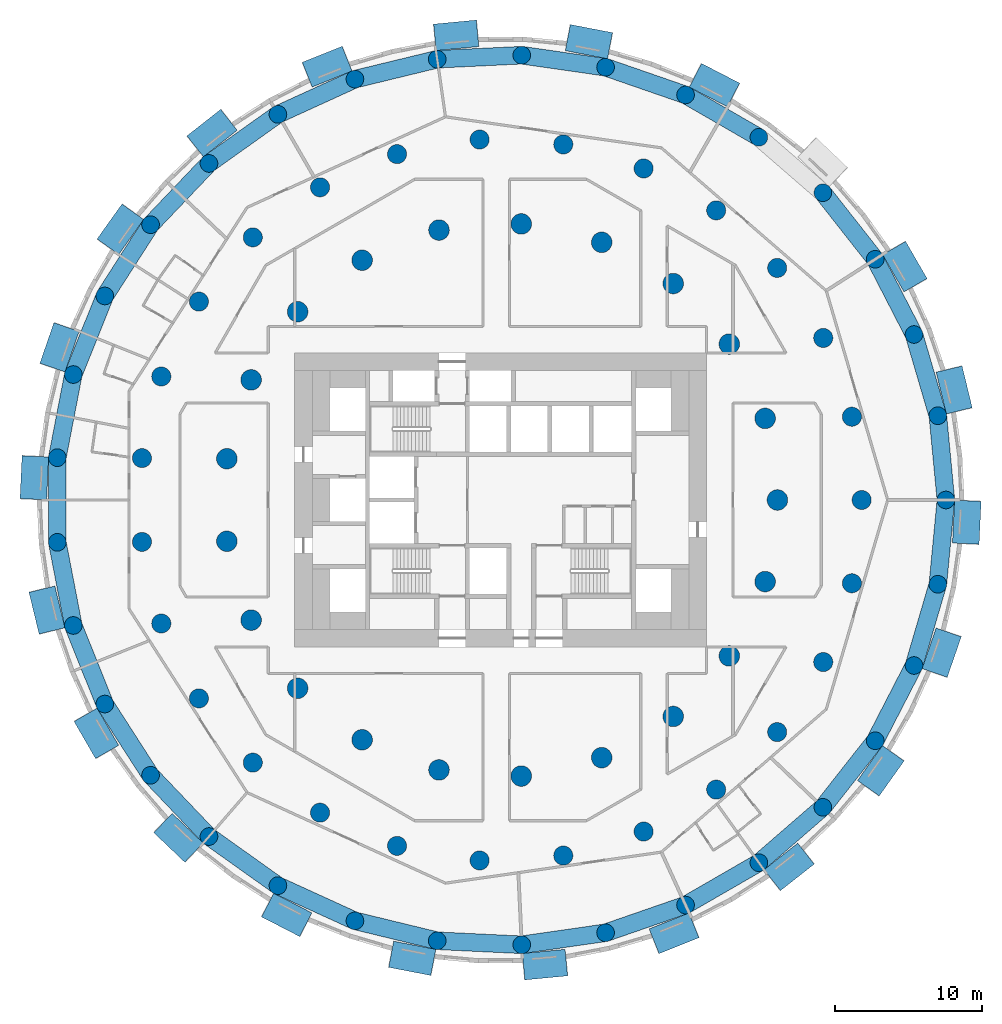
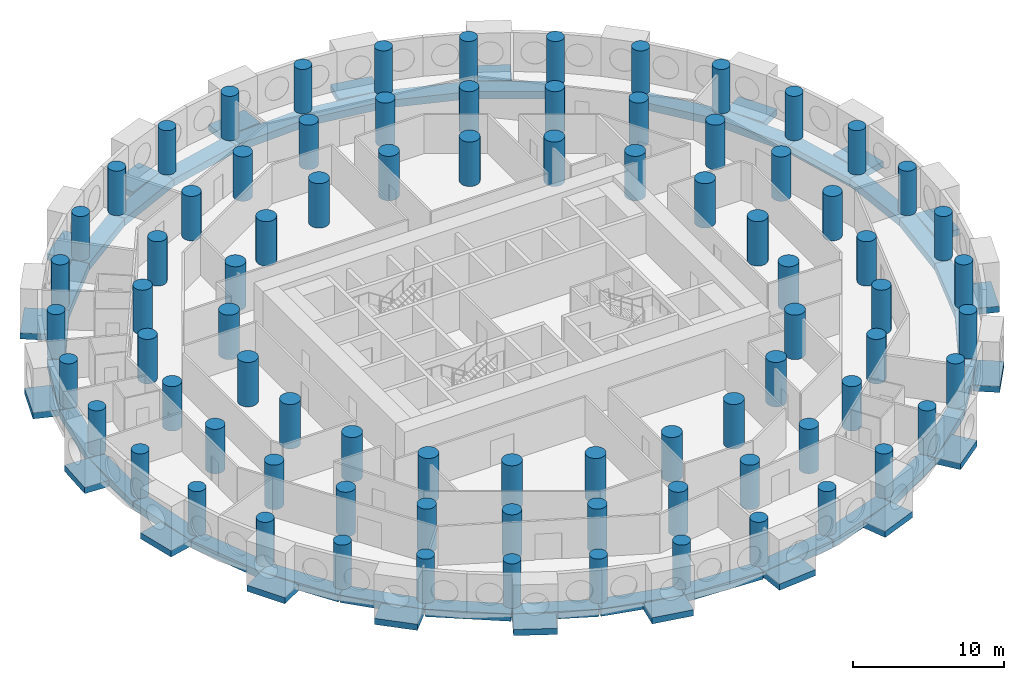
# One storey, part 1 of 11: 81 columns, 53 beams.
"""IFC4 building model written with IfcOpenShell, lengths in metres."""

from ifc_helpers import new_model, si_unit, direction, frame, origin, origin_2d, place, context, subcontext, project, spatial, rectangle, circle, extrude, material, material_profile, profile_set, type_object, element, save


model = new_model("IFC4")

# Units and contexts
model_context = context("Model", 3, precision=1e-05, world=origin(), true_north=direction((0.0, 1.0)))
body_context = subcontext(model_context, "Body", "Model", "MODEL_VIEW")
ifc_project = project(units=[si_unit("LENGTHUNIT", "METRE"), si_unit("AREAUNIT", "SQUARE_METRE"), si_unit("VOLUMEUNIT", "CUBIC_METRE"), si_unit("PLANEANGLEUNIT", "RADIAN"), si_unit("MASSUNIT", "GRAM", prefix="KILO")], contexts=[model_context])

# Site, building, storey
site_placement = place(None, origin())
site = spatial("IfcSite", under=ifc_project, at=site_placement, CompositionType="ELEMENT")
building_placement = place(site_placement, origin())
building = spatial("IfcBuilding", under=site, at=building_placement, Name="Tracery Tower", CompositionType="ELEMENT")
storey_placement = place(building_placement, frame((0.0, 0.0, 64.199951171875)))
storey = spatial("IfcBuildingStorey", under=building, at=storey_placement, Name="L15", CompositionType="ELEMENT", Elevation=64.199951171875)

# Columns
ifc_material_1 = material(Name="Concrete C60/75", Category="concrete")
ifc_material_profile_1 = material_profile(ifc_material_1, circle(Radius=0.60009765625, at=origin_2d()), Name="RC D1200")
ifc_profile_set_1 = profile_set([ifc_material_profile_1], Name="Concrete C60/75")
column_type_1 = type_object("IfcColumnType", Name="Ring 0 column 1200", PredefinedType="COLUMN", material=ifc_profile_set_1)
for number, where, z_axis, x_axis, name in (
    (1, (30.274658203125, 0.0, 0.0), (0.0, 0.0, 1.0), (1.0, 0.0, 0.0), "Ring 0 column 00 at L15"),
    (2, (29.7275390625, 5.7294921875, 0.0), (0.0, 0.0, 1.0), (1.0, 0.0, 0.0), "Ring 0 column 01 at L15"),
    (3, (28.10595703125, 11.251953125, 0.0), (0.0, 0.0, 1.0), (1.0, 0.0, 0.0), "Ring 0 column 02 at L15"),
    (4, (25.468505859375, 16.36767578125, 0.0), (0.0, 0.0, 1.0), (1.0, 0.0, 0.0), "Ring 0 column 03 at L15"),
    (5, (21.910888671875, 20.891845703125, 0.0), (0.0, 0.0, 1.0), (1.0, 0.0, 0.0), "Ring 0 column 04 at L15"),
    (6, (17.56103515625, 24.660888671875, 0.0), (0.0, 0.0, 1.0), (1.0, 0.0, 0.0), "Ring 0 column 05 at L15"),
    (7, (12.576416015625, 27.538818359375, 0.0), (0.0, 0.0, 1.0), (1.0, 0.0, 0.0), "Ring 0 column 06 at L15"),
    (8, (7.137451171875, 29.421142578125, 0.0), (0.0, 0.0, 1.0), (1.0, 0.0, 0.0), "Ring 0 column 07 at L15"),
    (9, (1.4404296875, 30.240234375, 0.0), (0.0, 0.0, 1.0), (1.0, 0.0, 0.0), "Ring 0 column 08 at L15"),
    (10, (-4.30859375, 29.96630859375, 0.0), (0.0, 0.0, 1.0), (1.0, 0.0, 0.0), "Ring 0 column 09 at L15"),
    (11, (-9.90185546875, 28.609619140625, 0.0), (0.0, 0.0, 1.0), (1.0, 0.0, 0.0), "Ring 0 column 10 at L15"),
    (12, (-15.13720703125, 26.218505859375, 0.0), (0.0, 0.0, 1.0), (1.0, 0.0, 0.0), "Ring 0 column 11 at L15"),
    (13, (-19.82568359375, 22.8798828125, 0.0), (0.0, 0.0, 1.0), (1.0, 0.0, 0.0), "Ring 0 column 12 at L15"),
    (14, (-23.79736328125, 18.714599609375, 0.0), (0.0, 0.0, 1.0), (1.0, 0.0, 0.0), "Ring 0 column 13 at L15"),
    (15, (-26.9091796875, 13.87255859375, 0.0), (0.0, 0.0, 1.0), (1.0, 0.0, 0.0), "Ring 0 column 14 at L15"),
    (16, (-29.04833984375, 8.529296875, 0.0), (0.0, 0.0, 1.0), (1.0, 0.0, 0.0), "Ring 0 column 15 at L15"),
    (17, (-30.137451171875, 2.877685546875, 0.0), (0.0, 0.0, 1.0), (1.0, 0.0, 0.0), "Ring 0 column 16 at L15"),
    (18, (-30.137451171875, -2.877685546875, 0.0), (0.0, 0.0, 1.0), (1.0, 0.0, 0.0), "Ring 0 column 17 at L15"),
    (19, (-29.04833984375, -8.529296875, 0.0), (0.0, 0.0, 1.0), (1.0, 0.0, 0.0), "Ring 0 column 18 at L15"),
    (20, (-26.9091796875, -13.87255859375, 0.0), (0.0, 0.0, 1.0), (1.0, 0.0, 0.0), "Ring 0 column 19 at L15"),
    (21, (-23.79736328125, -18.714599609375, 0.0), (0.0, 0.0, 1.0), (1.0, 0.0, 0.0), "Ring 0 column 20 at L15"),
    (22, (-19.82568359375, -22.8798828125, 0.0), (0.0, 0.0, 1.0), (1.0, 0.0, 0.0), "Ring 0 column 21 at L15"),
    (23, (-15.13720703125, -26.218505859375, 0.0), (0.0, 0.0, 1.0), (1.0, 0.0, 0.0), "Ring 0 column 22 at L15"),
    (24, (-9.90185546875, -28.609619140625, 0.0), (0.0, 0.0, 1.0), (1.0, 0.0, 0.0), "Ring 0 column 23 at L15"),
    (25, (-4.30859375, -29.96630859375, 0.0), (0.0, 0.0, 1.0), (1.0, 0.0, 0.0), "Ring 0 column 24 at L15"),
    (26, (1.4404296875, -30.240234375, 0.0), (0.0, 0.0, 1.0), (1.0, 0.0, 0.0), "Ring 0 column 25 at L15"),
    (27, (7.137451171875, -29.421142578125, 0.0), (0.0, 0.0, 1.0), (1.0, 0.0, 0.0), "Ring 0 column 26 at L15"),
    (28, (12.576416015625, -27.538818359375, 0.0), (0.0, 0.0, 1.0), (1.0, 0.0, 0.0), "Ring 0 column 27 at L15"),
    (29, (17.56103515625, -24.660888671875, 0.0), (0.0, 0.0, 1.0), (1.0, 0.0, 0.0), "Ring 0 column 28 at L15"),
    (30, (21.910888671875, -20.891845703125, 0.0), (0.0, 0.0, 1.0), (1.0, 0.0, 0.0), "Ring 0 column 29 at L15"),
    (31, (25.468505859375, -16.36767578125, 0.0), (0.0, 0.0, 1.0), (1.0, 0.0, 0.0), "Ring 0 column 30 at L15"),
    (32, (28.10595703125, -11.251953125, 0.0), (0.0, 0.0, 1.0), (1.0, 0.0, 0.0), "Ring 0 column 31 at L15"),
    (33, (29.7275390625, -5.7294921875, 0.0), (0.0, 0.0, 1.0), (1.0, 0.0, 0.0), "Ring 0 column 32 at L15"),
):
    element("IfcColumn", number, at=place(storey_placement, frame(where, z_axis=z_axis, x_axis=x_axis)), inside=storey, type_object=column_type_1, Name=name, PredefinedType="COLUMN", context=body_context, shape_type="SweptSolid", body=[
        extrude(circle(Radius=0.60009765625, at=origin_2d()), origin(), (0.0, 0.0, 1.0), 3.60009765625),
    ])
ifc_material_2 = material(Name="Concrete C60/75", Category="concrete")
ifc_material_profile_2 = material_profile(ifc_material_2, circle(Radius=0.64990234375, at=origin_2d()), Name="RC D1300")
ifc_profile_set_2 = profile_set([ifc_material_profile_2], Name="Concrete C60/75")
column_type_2 = type_object("IfcColumnType", Name="Ring 1 column 1300", PredefinedType="COLUMN", material=ifc_profile_set_2)
for number, where, z_axis, x_axis, name in (
    (34, (24.547607421875, 0.0, 0.0), (0.0, 0.0, 1.0), (1.0, 0.0, 0.0), "Ring 1 column 00 at L15"),
    (35, (23.885986328125, 5.6611328125, 0.0), (0.0, 0.0, 1.0), (1.0, 0.0, 0.0), "Ring 1 column 01 at L15"),
    (36, (21.9365234375, 11.01708984375, 0.0), (0.0, 0.0, 1.0), (1.0, 0.0, 0.0), "Ring 1 column 02 at L15"),
    (37, (18.8046875, 15.779052734375, 0.0), (0.0, 0.0, 1.0), (1.0, 0.0, 0.0), "Ring 1 column 03 at L15"),
    (38, (14.658935546875, 19.690185546875, 0.0), (0.0, 0.0, 1.0), (1.0, 0.0, 0.0), "Ring 1 column 04 at L15"),
    (39, (9.722900390625, 22.5400390625, 0.0), (0.0, 0.0, 1.0), (1.0, 0.0, 0.0), "Ring 1 column 05 at L15"),
    (40, (4.2626953125, 24.1748046875, 0.0), (0.0, 0.0, 1.0), (1.0, 0.0, 0.0), "Ring 1 column 06 at L15"),
    (41, (-1.42724609375, 24.506103515625, 0.0), (0.0, 0.0, 1.0), (1.0, 0.0, 0.0), "Ring 1 column 07 at L15"),
    (42, (-7.040283203125, 23.516357421875, 0.0), (0.0, 0.0, 1.0), (1.0, 0.0, 0.0), "Ring 1 column 08 at L15"),
    (43, (-12.273681640625, 21.2587890625, 0.0), (0.0, 0.0, 1.0), (1.0, 0.0, 0.0), "Ring 1 column 09 at L15"),
    (44, (-16.845703125, 17.855224609375, 0.0), (0.0, 0.0, 1.0), (1.0, 0.0, 0.0), "Ring 1 column 10 at L15"),
    (45, (-20.50927734375, 13.4892578125, 0.0), (0.0, 0.0, 1.0), (1.0, 0.0, 0.0), "Ring 1 column 11 at L15"),
    (46, (-23.0673828125, 8.395751953125, 0.0), (0.0, 0.0, 1.0), (1.0, 0.0, 0.0), "Ring 1 column 12 at L15"),
    (47, (-24.381591796875, 2.849853515625, 0.0), (0.0, 0.0, 1.0), (1.0, 0.0, 0.0), "Ring 1 column 13 at L15"),
    (48, (-24.381591796875, -2.849853515625, 0.0), (0.0, 0.0, 1.0), (1.0, 0.0, 0.0), "Ring 1 column 14 at L15"),
    (49, (-23.0673828125, -8.395751953125, 0.0), (0.0, 0.0, 1.0), (1.0, 0.0, 0.0), "Ring 1 column 15 at L15"),
    (50, (-20.50927734375, -13.4892578125, 0.0), (0.0, 0.0, 1.0), (1.0, 0.0, 0.0), "Ring 1 column 16 at L15"),
    (51, (-16.845703125, -17.85546875, 0.0), (0.0, 0.0, 1.0), (1.0, 0.0, 0.0), "Ring 1 column 17 at L15"),
    (52, (-12.27392578125, -21.2587890625, 0.0), (0.0, 0.0, 1.0), (1.0, 0.0, 0.0), "Ring 1 column 18 at L15"),
    (53, (-7.040283203125, -23.516357421875, 0.0), (0.0, 0.0, 1.0), (1.0, 0.0, 0.0), "Ring 1 column 19 at L15"),
    (54, (-1.42724609375, -24.506103515625, 0.0), (0.0, 0.0, 1.0), (1.0, 0.0, 0.0), "Ring 1 column 20 at L15"),
    (55, (4.2626953125, -24.1748046875, 0.0), (0.0, 0.0, 1.0), (1.0, 0.0, 0.0), "Ring 1 column 21 at L15"),
    (56, (9.722900390625, -22.5400390625, 0.0), (0.0, 0.0, 1.0), (1.0, 0.0, 0.0), "Ring 1 column 22 at L15"),
    (57, (14.658935546875, -19.690185546875, 0.0), (0.0, 0.0, 1.0), (1.0, 0.0, 0.0), "Ring 1 column 23 at L15"),
    (58, (18.8046875, -15.779052734375, 0.0), (0.0, 0.0, 1.0), (1.0, 0.0, 0.0), "Ring 1 column 24 at L15"),
    (59, (21.9365234375, -11.01708984375, 0.0), (0.0, 0.0, 1.0), (1.0, 0.0, 0.0), "Ring 1 column 25 at L15"),
    (60, (23.885986328125, -5.6611328125, 0.0), (0.0, 0.0, 1.0), (1.0, 0.0, 0.0), "Ring 1 column 26 at L15"),
):
    element("IfcColumn", number, at=place(storey_placement, frame(where, z_axis=z_axis, x_axis=x_axis)), inside=storey, type_object=column_type_2, Name=name, PredefinedType="COLUMN", context=body_context, shape_type="SweptSolid", body=[
        extrude(circle(Radius=0.64990234375, at=origin_2d()), origin(), (0.0, 0.0, 1.0), 3.60009765625),
    ])
ifc_material_3 = material(Name="Concrete C60/75", Category="concrete")
ifc_material_profile_3 = material_profile(ifc_material_3, circle(Radius=0.699951171875, at=origin_2d()), Name="RC D1400")
ifc_profile_set_3 = profile_set([ifc_material_profile_3], Name="Concrete C60/75")
column_type_3 = type_object("IfcColumnType", Name="Ring 2 column 1400", PredefinedType="COLUMN", material=ifc_profile_set_3)
for number, where, z_axis, x_axis, name in (
    (61, (18.822265625, 0.0, 0.0), (0.0, 0.0, 1.0), (1.0, 0.0, 0.0), "Ring 2 column 00 at L15"),
    (62, (17.986083984375, 5.5478515625, 0.0), (0.0, 0.0, 1.0), (1.0, 0.0, 0.0), "Ring 2 column 01 at L15"),
    (63, (15.551513671875, 10.602783203125, 0.0), (0.0, 0.0, 1.0), (1.0, 0.0, 0.0), "Ring 2 column 02 at L15"),
    (64, (11.7353515625, 14.7158203125, 0.0), (0.0, 0.0, 1.0), (1.0, 0.0, 0.0), "Ring 2 column 03 at L15"),
    (65, (6.87646484375, 17.52099609375, 0.0), (0.0, 0.0, 1.0), (1.0, 0.0, 0.0), "Ring 2 column 04 at L15"),
    (66, (1.406494140625, 18.76953125, 0.0), (0.0, 0.0, 1.0), (1.0, 0.0, 0.0), "Ring 2 column 05 at L15"),
    (67, (-4.188232421875, 18.350341796875, 0.0), (0.0, 0.0, 1.0), (1.0, 0.0, 0.0), "Ring 2 column 06 at L15"),
    (68, (-9.4111328125, 16.300537109375, 0.0), (0.0, 0.0, 1.0), (1.0, 0.0, 0.0), "Ring 2 column 07 at L15"),
    (69, (-13.797607421875, 12.802490234375, 0.0), (0.0, 0.0, 1.0), (1.0, 0.0, 0.0), "Ring 2 column 08 at L15"),
    (70, (-16.958251953125, 8.16650390625, 0.0), (0.0, 0.0, 1.0), (1.0, 0.0, 0.0), "Ring 2 column 09 at L15"),
    (71, (-18.612060546875, 2.805419921875, 0.0), (0.0, 0.0, 1.0), (1.0, 0.0, 0.0), "Ring 2 column 10 at L15"),
    (72, (-18.612060546875, -2.805419921875, 0.0), (0.0, 0.0, 1.0), (1.0, 0.0, 0.0), "Ring 2 column 11 at L15"),
    (73, (-16.958251953125, -8.166748046875, 0.0), (0.0, 0.0, 1.0), (1.0, 0.0, 0.0), "Ring 2 column 12 at L15"),
    (74, (-13.797607421875, -12.80224609375, 0.0), (0.0, 0.0, 1.0), (1.0, 0.0, 0.0), "Ring 2 column 13 at L15"),
    (75, (-9.4111328125, -16.300537109375, 0.0), (0.0, 0.0, 1.0), (1.0, 0.0, 0.0), "Ring 2 column 14 at L15"),
    (76, (-4.188232421875, -18.350341796875, 0.0), (0.0, 0.0, 1.0), (1.0, 0.0, 0.0), "Ring 2 column 15 at L15"),
    (77, (1.406494140625, -18.76953125, 0.0), (0.0, 0.0, 1.0), (1.0, 0.0, 0.0), "Ring 2 column 16 at L15"),
    (78, (6.87646484375, -17.52099609375, 0.0), (0.0, 0.0, 1.0), (1.0, 0.0, 0.0), "Ring 2 column 17 at L15"),
    (79, (11.7353515625, -14.7158203125, 0.0), (0.0, 0.0, 1.0), (1.0, 0.0, 0.0), "Ring 2 column 18 at L15"),
    (80, (15.551513671875, -10.602783203125, 0.0), (0.0, 0.0, 1.0), (1.0, 0.0, 0.0), "Ring 2 column 19 at L15"),
    (81, (17.986083984375, -5.5478515625, 0.0), (0.0, 0.0, 1.0), (1.0, 0.0, 0.0), "Ring 2 column 20 at L15"),
):
    element("IfcColumn", number, at=place(storey_placement, frame(where, z_axis=z_axis, x_axis=x_axis)), inside=storey, type_object=column_type_3, Name=name, PredefinedType="COLUMN", context=body_context, shape_type="SweptSolid", body=[
        extrude(circle(Radius=0.699951171875, at=origin_2d()), origin(), (0.0, 0.0, 1.0), 3.60009765625),
    ])

# Beams
ifc_material_4 = material(Name="Concrete C60/75", Category="concrete")
ifc_material_profile_4 = material_profile(ifc_material_4, rectangle(XDim=1.81005859375, YDim=0.5, at=origin_2d()), Name="RC 1810x500")
ifc_profile_set_4 = profile_set([ifc_material_profile_4], Name="Concrete C60/75")
beam_type_1 = type_object("IfcBeamType", Name="Bay seat beam 1810 x 500", PredefinedType="BEAM", material=ifc_profile_set_4)
for number, where, z_axis, x_axis, name in (
    (82, (31.18359375, 6.062744140625, -0.699951171875), (-0.235781890866, 0.971805999127, 0.0), (-0.971805999127, -0.235781890866, 0.0), "Bay seat beam 3 at L15"),
    (83, (28.21240234375, 14.6025390625, -0.699951171875), (-0.49998782916, 0.866032430508, 0.0), (-0.866032430508, -0.49998782916, 0.0), "Bay seat beam 6 at L15"),
):
    element("IfcBeam", number, at=place(storey_placement, frame(where, z_axis=z_axis, x_axis=x_axis)), inside=storey, type_object=beam_type_1, Name=name, PredefinedType="BEAM", context=body_context, shape_type="SweptSolid", body=[
        extrude(rectangle(XDim=1.81005859375, YDim=0.5, at=origin_2d()), origin(), (0.0, 0.0, 1.0), 2.919921875),
    ])
beam_1_placement = place(storey_placement, frame((15.839111328125, 27.537109375, -0.699951171875), z_axis=(-0.888823919044, 0.458248885362, 0.0), x_axis=(-0.458248885362, -0.888823919044, 0.0)))
element("IfcBeam", 84, at=beam_1_placement, inside=storey, type_object=beam_type_1, Name="Bay seat beam 12 at L15", PredefinedType="BEAM", context=body_context, shape_type="SweptSolid", body=[
    extrude(rectangle(XDim=1.81005859375, YDim=0.5, at=origin_2d()), origin(), (0.0, 0.0, 1.0), 2.920166015625),
])
beam_2_placement = place(storey_placement, frame((7.439208984375, 30.884033203125, -0.699951171875), z_axis=(-0.981920468865, 0.189293932349, 0.0), x_axis=(-0.189293932349, -0.981920468865, 0.0)))
element("IfcBeam", 85, at=beam_2_placement, inside=storey, type_object=beam_type_1, Name="Bay seat beam 15 at L15", PredefinedType="BEAM", context=body_context, shape_type="SweptSolid", body=[
    extrude(rectangle(XDim=1.81005859375, YDim=0.5, at=origin_2d()), origin(), (0.0, 0.0, 1.0), 2.919921875),
])
beam_3_placement = place(storey_placement, frame((-1.56298828125, 31.72900390625, -0.699951171875), z_axis=(-0.995471769445, -0.095057646919, 0.0), x_axis=(0.095057646919, -0.995471769445, 0.0)))
element("IfcBeam", 86, at=beam_3_placement, inside=storey, type_object=beam_type_1, Name="Bay seat beam 18 at L15", PredefinedType="BEAM", context=body_context, shape_type="SweptSolid", body=[
    extrude(rectangle(XDim=1.81005859375, YDim=0.5, at=origin_2d()), origin(), (0.0, 0.0, 1.0), 2.920166015625),
])
for number, where, z_axis, x_axis, name in (
    (87, (-10.43896484375, 30.00341796875, -0.699951171875), (-0.928367087211, -0.371664568373, 0.0), (0.371664568373, -0.928367087211, 0.0), "Bay seat beam 21 at L15"),
    (88, (-18.468994140625, 25.846923828125, -0.699951171875), (-0.786054237018, -0.618157533696, 0.0), (0.618157533696, -0.786054237018, 0.0), "Bay seat beam 24 at L15"),
    (89, (-25.002685546875, 19.5966796875, -0.699951171875), (-0.580098696047, -0.81454619442, 0.0), (0.81454619442, -0.580098696047, 0.0), "Bay seat beam 27 at L15"),
    (90, (-29.510986328125, 11.7587890625, -0.699951171875), (-0.327093333183, -0.944992037738, 0.0), (0.944992037738, -0.327093333183, 0.0), "Bay seat beam 30 at L15"),
):
    element("IfcBeam", number, at=place(storey_placement, frame(where, z_axis=z_axis, x_axis=x_axis)), inside=storey, type_object=beam_type_1, Name=name, PredefinedType="BEAM", context=body_context, shape_type="SweptSolid", body=[
        extrude(rectangle(XDim=1.81005859375, YDim=0.5, at=origin_2d()), origin(), (0.0, 0.0, 1.0), 2.919921875),
    ])
beam_4_placement = place(storey_placement, frame((-31.62841796875, 2.96826171875, -0.699951171875), z_axis=(-0.047573094089, -0.998867759375, 0.0), x_axis=(0.998867759375, -0.047573094089, 0.0)))
element("IfcBeam", 91, at=beam_4_placement, inside=storey, type_object=beam_type_1, Name="Bay seat beam 33 at L15", PredefinedType="BEAM", context=body_context, shape_type="SweptSolid", body=[
    extrude(rectangle(XDim=1.81005859375, YDim=0.5, at=origin_2d()), origin(), (0.0, 0.0, 1.0), 2.920166015625),
])
for number, where, z_axis, x_axis, name in (
    (92, (-31.18359375, -6.062744140625, -0.699951171875), (0.235781890866, -0.971805999127, 0.0), (0.971805999127, 0.235781890866, 0.0), "Bay seat beam 36 at L15"),
    (93, (-28.21240234375, -14.6025390625, -0.699951171875), (0.49998782916, -0.866032430508, 0.0), (0.866032430508, 0.49998782916, 0.0), "Bay seat beam 39 at L15"),
    (94, (-22.95556640625, -21.95947265625, -0.699951171875), (0.72375405418, -0.690058018617, 0.0), (0.690058018617, 0.72375405418, 0.0), "Bay seat beam 42 at L15"),
):
    element("IfcBeam", number, at=place(storey_placement, frame(where, z_axis=z_axis, x_axis=x_axis)), inside=storey, type_object=beam_type_1, Name=name, PredefinedType="BEAM", context=body_context, shape_type="SweptSolid", body=[
        extrude(rectangle(XDim=1.81005859375, YDim=0.5, at=origin_2d()), origin(), (0.0, 0.0, 1.0), 2.919921875),
    ])
beam_5_placement = place(storey_placement, frame((-15.839111328125, -27.537109375, -0.699951171875), z_axis=(0.888823919044, -0.458248885362, 0.0), x_axis=(0.458248885362, 0.888823919044, 0.0)))
element("IfcBeam", 95, at=beam_5_placement, inside=storey, type_object=beam_type_1, Name="Bay seat beam 45 at L15", PredefinedType="BEAM", context=body_context, shape_type="SweptSolid", body=[
    extrude(rectangle(XDim=1.81005859375, YDim=0.5, at=origin_2d()), origin(), (0.0, 0.0, 1.0), 2.920166015625),
])
beam_6_placement = place(storey_placement, frame((-7.439208984375, -30.884033203125, -0.699951171875), z_axis=(0.981920468865, -0.189293932349, 0.0), x_axis=(0.189293932349, 0.981920468865, 0.0)))
element("IfcBeam", 96, at=beam_6_placement, inside=storey, type_object=beam_type_1, Name="Bay seat beam 48 at L15", PredefinedType="BEAM", context=body_context, shape_type="SweptSolid", body=[
    extrude(rectangle(XDim=1.81005859375, YDim=0.5, at=origin_2d()), origin(), (0.0, 0.0, 1.0), 2.919921875),
])
beam_7_placement = place(storey_placement, frame((1.56298828125, -31.72900390625, -0.699951171875), z_axis=(0.995471769445, 0.095057646919, 0.0), x_axis=(-0.095057646919, 0.995471769445, 0.0)))
element("IfcBeam", 97, at=beam_7_placement, inside=storey, type_object=beam_type_1, Name="Bay seat beam 51 at L15", PredefinedType="BEAM", context=body_context, shape_type="SweptSolid", body=[
    extrude(rectangle(XDim=1.81005859375, YDim=0.5, at=origin_2d()), origin(), (0.0, 0.0, 1.0), 2.920166015625),
])
for number, where, z_axis, x_axis, name in (
    (98, (10.43896484375, -30.00341796875, -0.699951171875), (0.928367087211, 0.371664568373, 0.0), (-0.371664568373, 0.928367087211, 0.0), "Bay seat beam 54 at L15"),
    (99, (18.468994140625, -25.846923828125, -0.699951171875), (0.786054237018, 0.618157533696, 0.0), (-0.618157533696, 0.786054237018, 0.0), "Bay seat beam 57 at L15"),
    (100, (25.002685546875, -19.5966796875, -0.699951171875), (0.580098696047, 0.81454619442, 0.0), (-0.81454619442, 0.580098696047, 0.0), "Bay seat beam 60 at L15"),
    (101, (29.510986328125, -11.7587890625, -0.699951171875), (0.327093333183, 0.944992037738, 0.0), (-0.944992037738, 0.327093333183, 0.0), "Bay seat beam 63 at L15"),
):
    element("IfcBeam", number, at=place(storey_placement, frame(where, z_axis=z_axis, x_axis=x_axis)), inside=storey, type_object=beam_type_1, Name=name, PredefinedType="BEAM", context=body_context, shape_type="SweptSolid", body=[
        extrude(rectangle(XDim=1.81005859375, YDim=0.5, at=origin_2d()), origin(), (0.0, 0.0, 1.0), 2.919921875),
    ])
beam_8_placement = place(storey_placement, frame((31.62841796875, -2.96826171875, -0.699951171875), z_axis=(0.047573094089, 0.998867759375, 0.0), x_axis=(-0.998867759375, 0.047573094089, 0.0)))
element("IfcBeam", 102, at=beam_8_placement, inside=storey, type_object=beam_type_1, Name="Bay seat beam 66 at L15", PredefinedType="BEAM", context=body_context, shape_type="SweptSolid", body=[
    extrude(rectangle(XDim=1.81005859375, YDim=0.5, at=origin_2d()), origin(), (0.0, 0.0, 1.0), 2.920166015625),
])
ifc_material_5 = material(Name="Concrete C60/75", Category="concrete")
ifc_material_profile_5 = material_profile(ifc_material_5, rectangle(XDim=1.199951171875, YDim=0.60009765625, at=origin_2d()), Name="RC 1200x600")
ifc_profile_set_5 = profile_set([ifc_material_profile_5], Name="Concrete C60/75")
beam_type_2 = type_object("IfcBeamType", Name="Perimeter band beam 1200x600", PredefinedType="BEAM", material=ifc_profile_set_5)
for number, where, z_axis, x_axis, name in (
    (103, (30.274658203125, 0.0, -0.75), (-0.095059309677, 0.995471610667, 0.0), (-0.995471610667, -0.095059309677, 0.0), "Perimeter beam 0.00 under L15"),
    (104, (29.7275390625, 5.7294921875, -0.75), (-0.281739145896, 0.959491038869, 0.0), (-0.959491038869, -0.281739145896, 0.0), "Perimeter beam 0.01 under L15"),
    (105, (28.10595703125, 11.251953125, -0.75), (-0.458242010493, 0.88882746347, 0.0), (-0.88882746347, -0.458242010493, 0.0), "Perimeter beam 0.02 under L15"),
):
    element("IfcBeam", number, at=place(storey_placement, frame(where, z_axis=z_axis, x_axis=x_axis)), inside=storey, type_object=beam_type_2, Name=name, PredefinedType="BEAM", context=body_context, shape_type="SweptSolid", body=[
        extrude(rectangle(XDim=1.199951171875, YDim=0.60009765625, at=origin_2d()), origin(), (0.0, 0.0, 1.0), 5.755615234375),
    ])
beam_9_placement = place(storey_placement, frame((25.468505859375, 16.36767578125, -0.75), z_axis=(-0.618134362257, 0.786072458618, 0.0), x_axis=(-0.786072458618, -0.618134362257, 0.0)))
element("IfcBeam", 106, at=beam_9_placement, inside=storey, type_object=beam_type_2, Name="Perimeter beam 0.03 under L15", PredefinedType="BEAM", context=body_context, shape_type="SweptSolid", body=[
    extrude(rectangle(XDim=1.199951171875, YDim=0.60009765625, at=origin_2d()), origin(), (0.0, 0.0, 1.0), 5.75537109375),
])
beam_10_placement = place(storey_placement, frame((17.56103515625, 24.660888671875, -0.75), z_axis=(-0.866021003874, 0.50000762079, 0.0), x_axis=(-0.50000762079, -0.866021003874, 0.0)))
element("IfcBeam", 107, at=beam_10_placement, inside=storey, type_object=beam_type_2, Name="Perimeter beam 0.05 under L15", PredefinedType="BEAM", context=body_context, shape_type="SweptSolid", body=[
    extrude(rectangle(XDim=1.199951171875, YDim=0.60009765625, at=origin_2d()), origin(), (0.0, 0.0, 1.0), 5.755859375),
])
beam_11_placement = place(storey_placement, frame((12.576416015625, 27.538818359375, -0.75), z_axis=(-0.945007252869, 0.327049372458, 0.0), x_axis=(-0.327049372458, -0.945007252869, 0.0)))
element("IfcBeam", 108, at=beam_11_placement, inside=storey, type_object=beam_type_2, Name="Perimeter beam 0.06 under L15", PredefinedType="BEAM", context=body_context, shape_type="SweptSolid", body=[
    extrude(rectangle(XDim=1.199951171875, YDim=0.60009765625, at=origin_2d()), origin(), (0.0, 0.0, 1.0), 5.75537109375),
])
for number, where, z_axis, x_axis, name in (
    (109, (7.137451171875, 29.421142578125, -0.75), (-0.989821839174, 0.142312075013, 0.0), (-0.142312075013, -0.989821839174, 0.0), "Perimeter beam 0.07 under L15"),
    (110, (1.4404296875, 30.240234375, -0.75), (-0.998866793759, -0.047593364303, 0.0), (0.047593364303, -0.998866793759, 0.0), "Perimeter beam 0.08 under L15"),
):
    element("IfcBeam", number, at=place(storey_placement, frame(where, z_axis=z_axis, x_axis=x_axis)), inside=storey, type_object=beam_type_2, Name=name, PredefinedType="BEAM", context=body_context, shape_type="SweptSolid", body=[
        extrude(rectangle(XDim=1.199951171875, YDim=0.60009765625, at=origin_2d()), origin(), (0.0, 0.0, 1.0), 5.755615234375),
    ])
beam_12_placement = place(storey_placement, frame((-4.30859375, 29.96630859375, -0.75), z_axis=(-0.971820371509, -0.235722645328, 0.0), x_axis=(0.235722645328, -0.971820371509, 0.0)))
element("IfcBeam", 111, at=beam_12_placement, inside=storey, type_object=beam_type_2, Name="Perimeter beam 0.09 under L15", PredefinedType="BEAM", context=body_context, shape_type="SweptSolid", body=[
    extrude(rectangle(XDim=1.199951171875, YDim=0.60009765625, at=origin_2d()), origin(), (0.0, 0.0, 1.0), 5.75537109375),
])
for number, where, z_axis, x_axis, name in (
    (112, (-9.90185546875, 28.609619140625, -0.75), (-0.909618316865, -0.415444963411, 0.0), (0.415444963411, -0.909618316865, 0.0), "Perimeter beam 0.10 under L15"),
    (113, (-15.13720703125, 26.218505859375, -0.75), (-0.8145780864, -0.580053912285, 0.0), (0.580053912285, -0.8145780864, 0.0), "Perimeter beam 0.11 under L15"),
):
    element("IfcBeam", number, at=place(storey_placement, frame(where, z_axis=z_axis, x_axis=x_axis)), inside=storey, type_object=beam_type_2, Name=name, PredefinedType="BEAM", context=body_context, shape_type="SweptSolid", body=[
        extrude(rectangle(XDim=1.199951171875, YDim=0.60009765625, at=origin_2d()), origin(), (0.0, 0.0, 1.0), 5.755615234375),
    ])
beam_13_placement = place(storey_placement, frame((-19.82568359375, 22.8798828125, -0.75), z_axis=(-0.690087218267, -0.723726212863, 0.0), x_axis=(0.723726212863, -0.690087218267, 0.0)))
element("IfcBeam", 114, at=beam_13_placement, inside=storey, type_object=beam_type_2, Name="Perimeter beam 0.12 under L15", PredefinedType="BEAM", context=body_context, shape_type="SweptSolid", body=[
    extrude(rectangle(XDim=1.199951171875, YDim=0.60009765625, at=origin_2d()), origin(), (0.0, 0.0, 1.0), 5.75537109375),
])
beam_14_placement = place(storey_placement, frame((-23.79736328125, 18.714599609375, -0.75), z_axis=(-0.540643964602, -0.841251510274, 0.0), x_axis=(0.841251510274, -0.540643964602, 0.0)))
element("IfcBeam", 115, at=beam_14_placement, inside=storey, type_object=beam_type_2, Name="Perimeter beam 0.13 under L15", PredefinedType="BEAM", context=body_context, shape_type="SweptSolid", body=[
    extrude(rectangle(XDim=1.199951171875, YDim=0.60009765625, at=origin_2d()), origin(), (0.0, 0.0, 1.0), 5.755859375),
])
for number, where, z_axis, x_axis, name in (
    (116, (-26.9091796875, 13.87255859375, -0.75), (-0.371668572289, -0.928365484264, 0.0), (0.928365484264, -0.371668572289, 0.0), "Perimeter beam 0.14 under L15"),
    (117, (-29.04833984375, 8.529296875, -0.75), (-0.189226539295, -0.981933458451, 0.0), (0.981933458451, -0.189226539295, 0.0), "Perimeter beam 0.15 under L15"),
):
    element("IfcBeam", number, at=place(storey_placement, frame(where, z_axis=z_axis, x_axis=x_axis)), inside=storey, type_object=beam_type_2, Name=name, PredefinedType="BEAM", context=body_context, shape_type="SweptSolid", body=[
        extrude(rectangle(XDim=1.199951171875, YDim=0.60009765625, at=origin_2d()), origin(), (0.0, 0.0, 1.0), 5.755615234375),
    ])
beam_15_placement = place(storey_placement, frame((-30.137451171875, 2.877685546875, -0.75), z_axis=(0.0, -1.0, 0.0), x_axis=(1.0, 0.0, 0.0)))
element("IfcBeam", 118, at=beam_15_placement, inside=storey, type_object=beam_type_2, Name="Perimeter beam 0.16 under L15", PredefinedType="BEAM", context=body_context, shape_type="SweptSolid", body=[
    extrude(rectangle(XDim=1.199951171875, YDim=0.60009765625, at=origin_2d()), origin(), (0.0, 0.0, 1.0), 5.75537109375),
])
for number, where, z_axis, x_axis, name in (
    (119, (-30.137451171875, -2.877685546875, -0.75), (0.189226539295, -0.981933458451, 0.0), (0.981933458451, 0.189226539295, 0.0), "Perimeter beam 0.17 under L15"),
    (120, (-29.04833984375, -8.529296875, -0.75), (0.371668572289, -0.928365484264, 0.0), (0.928365484264, 0.371668572289, 0.0), "Perimeter beam 0.18 under L15"),
):
    element("IfcBeam", number, at=place(storey_placement, frame(where, z_axis=z_axis, x_axis=x_axis)), inside=storey, type_object=beam_type_2, Name=name, PredefinedType="BEAM", context=body_context, shape_type="SweptSolid", body=[
        extrude(rectangle(XDim=1.199951171875, YDim=0.60009765625, at=origin_2d()), origin(), (0.0, 0.0, 1.0), 5.755615234375),
    ])
beam_16_placement = place(storey_placement, frame((-26.9091796875, -13.87255859375, -0.75), z_axis=(0.540643964602, -0.841251510274, 0.0), x_axis=(0.841251510274, 0.540643964602, 0.0)))
element("IfcBeam", 121, at=beam_16_placement, inside=storey, type_object=beam_type_2, Name="Perimeter beam 0.19 under L15", PredefinedType="BEAM", context=body_context, shape_type="SweptSolid", body=[
    extrude(rectangle(XDim=1.199951171875, YDim=0.60009765625, at=origin_2d()), origin(), (0.0, 0.0, 1.0), 5.755859375),
])
beam_17_placement = place(storey_placement, frame((-23.79736328125, -18.714599609375, -0.75), z_axis=(0.690087218267, -0.723726212863, 0.0), x_axis=(0.723726212863, 0.690087218267, 0.0)))
element("IfcBeam", 122, at=beam_17_placement, inside=storey, type_object=beam_type_2, Name="Perimeter beam 0.20 under L15", PredefinedType="BEAM", context=body_context, shape_type="SweptSolid", body=[
    extrude(rectangle(XDim=1.199951171875, YDim=0.60009765625, at=origin_2d()), origin(), (0.0, 0.0, 1.0), 5.75537109375),
])
for number, where, z_axis, x_axis, name in (
    (123, (-19.82568359375, -22.8798828125, -0.75), (0.8145780864, -0.580053912285, 0.0), (0.580053912285, 0.8145780864, 0.0), "Perimeter beam 0.21 under L15"),
    (124, (-15.13720703125, -26.218505859375, -0.75), (0.909618316865, -0.415444963411, 0.0), (0.415444963411, 0.909618316865, 0.0), "Perimeter beam 0.22 under L15"),
):
    element("IfcBeam", number, at=place(storey_placement, frame(where, z_axis=z_axis, x_axis=x_axis)), inside=storey, type_object=beam_type_2, Name=name, PredefinedType="BEAM", context=body_context, shape_type="SweptSolid", body=[
        extrude(rectangle(XDim=1.199951171875, YDim=0.60009765625, at=origin_2d()), origin(), (0.0, 0.0, 1.0), 5.755615234375),
    ])
beam_18_placement = place(storey_placement, frame((-9.90185546875, -28.609619140625, -0.75), z_axis=(0.971820371509, -0.235722645328, 0.0), x_axis=(0.235722645328, 0.971820371509, 0.0)))
element("IfcBeam", 125, at=beam_18_placement, inside=storey, type_object=beam_type_2, Name="Perimeter beam 0.23 under L15", PredefinedType="BEAM", context=body_context, shape_type="SweptSolid", body=[
    extrude(rectangle(XDim=1.199951171875, YDim=0.60009765625, at=origin_2d()), origin(), (0.0, 0.0, 1.0), 5.75537109375),
])
for number, where, z_axis, x_axis, name in (
    (126, (-4.30859375, -29.96630859375, -0.75), (0.998866793759, -0.047593364303, 0.0), (0.047593364303, 0.998866793759, 0.0), "Perimeter beam 0.24 under L15"),
    (127, (1.4404296875, -30.240234375, -0.75), (0.989821839174, 0.142312075013, 0.0), (-0.142312075013, 0.989821839174, 0.0), "Perimeter beam 0.25 under L15"),
):
    element("IfcBeam", number, at=place(storey_placement, frame(where, z_axis=z_axis, x_axis=x_axis)), inside=storey, type_object=beam_type_2, Name=name, PredefinedType="BEAM", context=body_context, shape_type="SweptSolid", body=[
        extrude(rectangle(XDim=1.199951171875, YDim=0.60009765625, at=origin_2d()), origin(), (0.0, 0.0, 1.0), 5.755615234375),
    ])
beam_19_placement = place(storey_placement, frame((7.137451171875, -29.421142578125, -0.75), z_axis=(0.945007252869, 0.327049372458, 0.0), x_axis=(-0.327049372458, 0.945007252869, 0.0)))
element("IfcBeam", 128, at=beam_19_placement, inside=storey, type_object=beam_type_2, Name="Perimeter beam 0.26 under L15", PredefinedType="BEAM", context=body_context, shape_type="SweptSolid", body=[
    extrude(rectangle(XDim=1.199951171875, YDim=0.60009765625, at=origin_2d()), origin(), (0.0, 0.0, 1.0), 5.75537109375),
])
beam_20_placement = place(storey_placement, frame((12.576416015625, -27.538818359375, -0.75), z_axis=(0.866021003874, 0.50000762079, 0.0), x_axis=(-0.50000762079, 0.866021003874, 0.0)))
element("IfcBeam", 129, at=beam_20_placement, inside=storey, type_object=beam_type_2, Name="Perimeter beam 0.27 under L15", PredefinedType="BEAM", context=body_context, shape_type="SweptSolid", body=[
    extrude(rectangle(XDim=1.199951171875, YDim=0.60009765625, at=origin_2d()), origin(), (0.0, 0.0, 1.0), 5.755859375),
])
beam_21_placement = place(storey_placement, frame((17.56103515625, -24.660888671875, -0.75), z_axis=(0.755760456715, 0.65484817482, 0.0), x_axis=(-0.65484817482, 0.755760456715, 0.0)))
element("IfcBeam", 130, at=beam_21_placement, inside=storey, type_object=beam_type_2, Name="Perimeter beam 0.28 under L15", PredefinedType="BEAM", context=body_context, shape_type="SweptSolid", body=[
    extrude(rectangle(XDim=1.199951171875, YDim=0.60009765625, at=origin_2d()), origin(), (0.0, 0.0, 1.0), 5.755615234375),
])
beam_22_placement = place(storey_placement, frame((21.910888671875, -20.891845703125, -0.75), z_axis=(0.618134362257, 0.786072458618, 0.0), x_axis=(-0.786072458618, 0.618134362257, 0.0)))
element("IfcBeam", 131, at=beam_22_placement, inside=storey, type_object=beam_type_2, Name="Perimeter beam 0.29 under L15", PredefinedType="BEAM", context=body_context, shape_type="SweptSolid", body=[
    extrude(rectangle(XDim=1.199951171875, YDim=0.60009765625, at=origin_2d()), origin(), (0.0, 0.0, 1.0), 5.75537109375),
])
for number, where, z_axis, x_axis, name in (
    (132, (25.468505859375, -16.36767578125, -0.75), (0.458242010493, 0.88882746347, 0.0), (-0.88882746347, 0.458242010493, 0.0), "Perimeter beam 0.30 under L15"),
    (133, (28.10595703125, -11.251953125, -0.75), (0.281739145896, 0.959491038869, 0.0), (-0.959491038869, 0.281739145896, 0.0), "Perimeter beam 0.31 under L15"),
    (134, (29.7275390625, -5.7294921875, -0.75), (0.095059309677, 0.995471610667, 0.0), (-0.995471610667, 0.095059309677, 0.0), "Perimeter beam 0.32 under L15"),
):
    element("IfcBeam", number, at=place(storey_placement, frame(where, z_axis=z_axis, x_axis=x_axis)), inside=storey, type_object=beam_type_2, Name=name, PredefinedType="BEAM", context=body_context, shape_type="SweptSolid", body=[
        extrude(rectangle(XDim=1.199951171875, YDim=0.60009765625, at=origin_2d()), origin(), (0.0, 0.0, 1.0), 5.755615234375),
    ])

save(model, "model.ifc")
